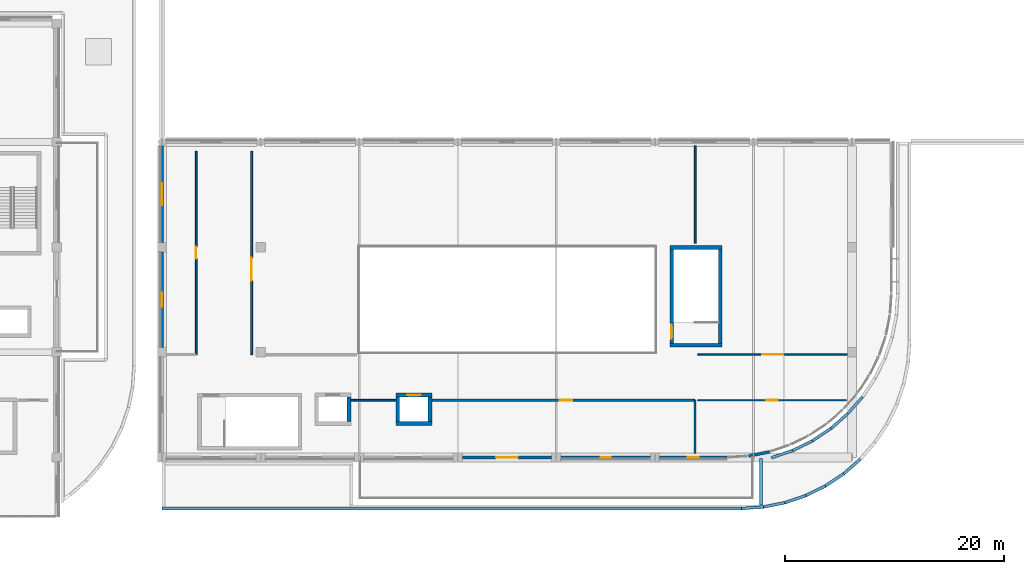
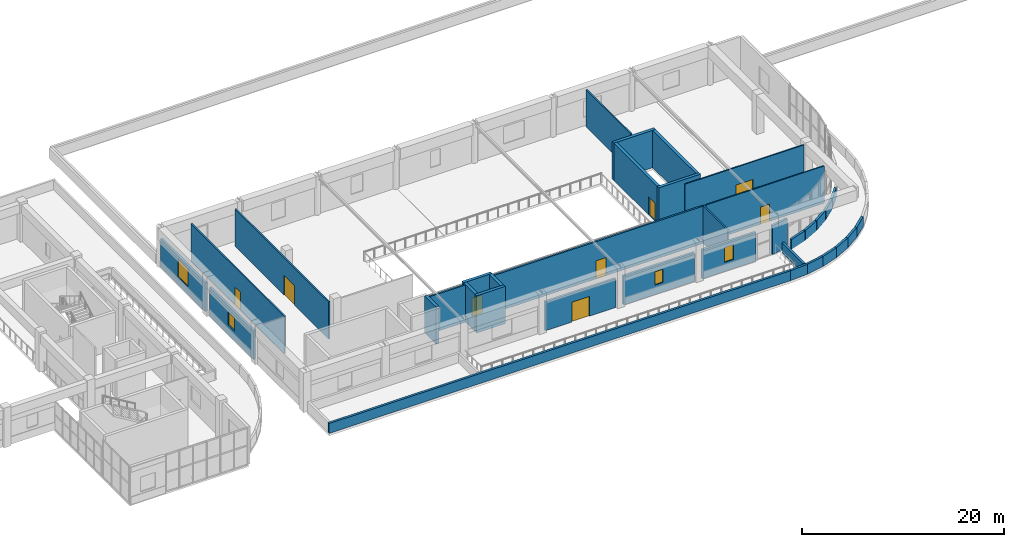
# One storey, part 45 of 67: 36 walls, 8 doors, 4 windows, 12 openings.
"""IFC4 building model written with IfcOpenShell, lengths in metres."""

from ifc_helpers import new_model, si_unit, direction, frame, frame_2d, origin, place, context, subcontext, project, spatial, rectangle, extrude, material, layer, layer_set, type_object, element, fill, save


model = new_model("IFC4")

# Units and contexts
model_context = context("Model", 3, precision=1e-05, world=origin(), true_north=direction((0.0, 1.0)))
body_context = subcontext(model_context, "Body", "Model", "MODEL_VIEW")
ifc_project = project(units=[si_unit("LENGTHUNIT", "METRE"), si_unit("AREAUNIT", "SQUARE_METRE"), si_unit("VOLUMEUNIT", "CUBIC_METRE"), si_unit("PLANEANGLEUNIT", "RADIAN"), si_unit("MASSUNIT", "GRAM", prefix="KILO")], contexts=[model_context])

# Site, building, storey
site_placement = place(None, origin())
site = spatial("IfcSite", under=ifc_project, at=site_placement, CompositionType="ELEMENT")
building_placement = place(site_placement, origin())
building = spatial("IfcBuilding", under=site, at=building_placement, Name="Cendralis Terraced Arcade", CompositionType="ELEMENT")
storey_placement = place(building_placement, frame((0.0, 0.0, 15.0)))
storey = spatial("IfcBuildingStorey", under=building, at=storey_placement, Name="L03", CompositionType="ELEMENT", Elevation=15.0)

# Walls
ifc_material_1 = material(Name="Concrete f'c 42 MPa", Category="concrete")
ifc_layer_1 = layer(ifc_material_1, 0.340087890625, Name="WL-CORE-340")
ifc_layer_set_1 = layer_set([ifc_layer_1], Name="Concrete f'c 42 MPa")
wall_type_1 = type_object("IfcWallType", Name="WL-CORE-340", PredefinedType="SHEAR", material=ifc_layer_set_1)
for number, where, z_axis, x_axis, name in (
    (1, (113.56005859375, 19.830078125, 0.0), (0.0, 0.0, 1.0), (1.0, 0.0, 0.0), "Stair Core Reinforced Concrete Shear Wall SW-ST-09-L03-S"),
    (2, (113.56005859375, 28.77001953125, 0.0), (0.0, 0.0, 1.0), (1.0, 0.0, 0.0), "Stair Core Reinforced Concrete Shear Wall SW-ST-09-L03-N"),
):
    element("IfcWall", number, at=place(storey_placement, frame(where, z_axis=z_axis, x_axis=x_axis)), inside=storey, type_object=wall_type_1, Name=name, PredefinedType="SHEAR", context=body_context, shape_type="SweptSolid", body=[
        extrude(rectangle(XDim=4.780029296875, YDim=0.340087890625, at=frame_2d((2.39013671875, 0.0))), origin(), (0.0, 0.0, 1.0), 4.52001953125),
    ])
wall_1_placement = place(storey_placement, frame((118.169921875, 20.0, 0.0), z_axis=(0.0, 0.0, 1.0), x_axis=(0.0, 1.0, 0.0)))
element("IfcWall", 3, at=wall_1_placement, inside=storey, type_object=wall_type_1, Name="Stair Core Reinforced Concrete Shear Wall SW-ST-09-L03-E", PredefinedType="SHEAR", context=body_context, shape_type="SweptSolid", body=[
    extrude(rectangle(XDim=8.60009765625, YDim=0.340087890625, at=frame_2d((4.300048828125, 0.0))), origin(), (0.0, 0.0, 1.0), 4.52001953125),
])

# Wall, opening, door
wall_2_placement = place(storey_placement, frame((113.72998046875, 20.0, 0.0), z_axis=(0.0, 0.0, 1.0), x_axis=(0.0, 1.0, 0.0)))
wall_2 = element("IfcWall", 4, at=wall_2_placement, inside=storey, type_object=wall_type_1, Name="Stair Core Reinforced Concrete Shear Wall SW-ST-09-L03-W", PredefinedType="SHEAR", context=body_context, shape_type="SweptSolid", body=[
    extrude(rectangle(XDim=8.60009765625, YDim=0.340087890625, at=frame_2d((4.300048828125, 0.0))), origin(), (0.0, 0.0, 1.0), 4.52001953125),
])
opening_1_placement = place(wall_2_placement, frame((0.449951171875, 0.0, 0.0)))
opening_1 = element("IfcOpeningElement", 5, at=opening_1_placement, cuts=wall_2, Name="Opening D-ST-09-L03", PredefinedType="OPENING", context=body_context, shape_type="SweptSolid", body=[
    extrude(rectangle(XDim=1.25, YDim=2.199951171875, at=frame_2d((0.625, 1.10009765625))), frame((0.0, 0.18212890625, 0.0), z_axis=(0.0, -1.0, 0.0), x_axis=(1.0, 0.0, 0.0)), (0.0, 0.0, 1.0), 0.364013671875),
])
ifc_material_2 = material(Name="Galvanised fire-rated steel door assembly", Category="steel")
door_type_1 = type_object("IfcDoorType", Name="ID-ST-1250x2200", OperationType="NOTDEFINED", PredefinedType="DOOR", material=ifc_material_2)
door_1_placement = place(opening_1_placement, frame((1.25, 0.0, 0.0), z_axis=(0.0, 0.0, 1.0), x_axis=(-1.0, 0.0, 0.0)))
door_1 = element("IfcDoor", 6, at=door_1_placement, inside=storey, type_object=door_type_1, Name="Protected Stair ST-09 Fire Door (L03)", OperationType="SINGLE_SWING_LEFT", OverallHeight=2.199951171875, OverallWidth=1.25, PredefinedType="DOOR", context=body_context, shape_type="SweptSolid", body=[
    extrude(rectangle(XDim=1.25, YDim=2.199951171875, at=frame_2d((0.625, 1.10009765625))), frame((0.0, 0.02490234375, 0.0), z_axis=(0.0, -1.0, 0.0), x_axis=(1.0, 0.0, 0.0)), (0.0, 0.0, 1.0), 0.050048828125),
])
fill(opening_1, door_1)

# Walls
wall_3_placement = place(storey_placement, frame((84.27001953125, 12.875, 0.0), z_axis=(0.0, 0.0, 1.0), x_axis=(0.0, 1.0, 0.0)))
element("IfcWall", 7, at=wall_3_placement, inside=storey, type_object=wall_type_1, Name="Lift PL-07 Reinforced Concrete Shaft Wall (L03)", PredefinedType="SHEAR", context=body_context, shape_type="SweptSolid", body=[
    extrude(rectangle(XDim=2.25, YDim=0.340087890625, at=frame_2d((1.125, 0.0))), origin(), (0.0, 0.0, 1.0), 4.52001953125),
])
wall_4_placement = place(storey_placement, frame((88.56005859375, 12.705078125, 0.0), z_axis=(0.0, 0.0, 1.0), x_axis=(1.0, 0.0, 0.0)))
element("IfcWall", 8, at=wall_4_placement, inside=storey, type_object=wall_type_1, Name="Lift PL-08 Reinforced Concrete Shaft Wall (L03)", PredefinedType="SHEAR", context=body_context, shape_type="SweptSolid", body=[
    extrude(rectangle(XDim=3.280029296875, YDim=0.340087890625, at=frame_2d((1.64013671875, 0.0))), origin(), (0.0, 0.0, 1.0), 4.52001953125),
])

# Wall, opening, door
wall_5_placement = place(storey_placement, frame((88.56005859375, 15.294921875, 0.0), z_axis=(0.0, 0.0, 1.0), x_axis=(1.0, 0.0, 0.0)))
wall_5 = element("IfcWall", 9, at=wall_5_placement, inside=storey, type_object=wall_type_1, Name="Lift PL-08 Reinforced Concrete Shaft Wall (L03)", PredefinedType="SHEAR", context=body_context, shape_type="SweptSolid", body=[
    extrude(rectangle(XDim=3.280029296875, YDim=0.340087890625, at=frame_2d((1.64013671875, 0.0))), origin(), (0.0, 0.0, 1.0), 4.52001953125),
])
opening_2_placement = place(wall_5_placement, frame((1.0400390625, 0.0, 0.0)))
opening_2 = element("IfcOpeningElement", 10, at=opening_2_placement, cuts=wall_5, Name="Opening LD-PL-08-L03", PredefinedType="OPENING", context=body_context, shape_type="SweptSolid", body=[
    extrude(rectangle(XDim=1.199951171875, YDim=2.199951171875, at=frame_2d((0.60009765625, 1.10009765625))), frame((0.0, 0.18212890625, 0.0), z_axis=(0.0, -1.0, 0.0), x_axis=(1.0, 0.0, 0.0)), (0.0, 0.0, 1.0), 0.364013671875),
])
ifc_material_3 = material(Name="Anodised aluminium sliding door assembly", Category="aluminium")
door_type_2 = type_object("IfcDoorType", Name="ID-LD-PX-1200x2200", OperationType="DOUBLE_DOOR_SLIDING", PredefinedType="DOOR", material=ifc_material_3)
door_2_placement = place(opening_2_placement, origin())
door_2 = element("IfcDoor", 11, at=door_2_placement, inside=storey, type_object=door_type_2, Name="Lift PL-08 Sliding Landing Door (L03)", OperationType="DOUBLE_DOOR_SLIDING", OverallHeight=2.199951171875, OverallWidth=1.199951171875, PredefinedType="DOOR", context=body_context, shape_type="SweptSolid", body=[
    extrude(rectangle(XDim=1.199951171875, YDim=2.199951171875, at=frame_2d((0.60009765625, 1.10009765625))), frame((0.0, 0.02490234375, 0.0), z_axis=(0.0, -1.0, 0.0), x_axis=(1.0, 0.0, 0.0)), (0.0, 0.0, 1.0), 0.050048828125),
])
fill(opening_2, door_2)

# Walls
for number, where, z_axis, x_axis, name in (
    (12, (88.72998046875, 12.875, 0.0), (0.0, 0.0, 1.0), (0.0, 1.0, 0.0), "Lift PL-08 Reinforced Concrete Shaft Wall (L03)"),
    (13, (91.669921875, 12.875, 0.0), (0.0, 0.0, 1.0), (0.0, 1.0, 0.0), "Lift PL-08 Reinforced Concrete Shaft Wall (L03)"),
):
    element("IfcWall", number, at=place(storey_placement, frame(where, z_axis=z_axis, x_axis=x_axis)), inside=storey, type_object=wall_type_1, Name=name, PredefinedType="SHEAR", context=body_context, shape_type="SweptSolid", body=[
        extrude(rectangle(XDim=2.25, YDim=0.340087890625, at=frame_2d((1.125, 0.0))), origin(), (0.0, 0.0, 1.0), 4.52001953125),
    ])
ifc_material_4 = material(Name="Terracotta clay masonry", Category="masonry")
ifc_layer_2 = layer(ifc_material_4, 0.264892578125, Name="WL-EXT-TER-265")
ifc_layer_set_2 = layer_set([ifc_layer_2], Name="Terracotta clay masonry")
wall_type_2 = type_object("IfcWallType", Name="WL-EXT-TER-265", PredefinedType="SOLIDWALL", material=ifc_layer_set_2)
wall_6_placement = place(storey_placement, frame((122.682373046875, 10.111083984375, 0.0), z_axis=(0.0, 0.0, 1.0), x_axis=(-0.980785903935, -0.195087187285, 0.0)))
element("IfcWall", 14, at=wall_6_placement, inside=storey, type_object=wall_type_2, Name="Exterior Architectural Wall EW-L03-0240", PredefinedType="SOLIDWALL", context=body_context, shape_type="SweptSolid", body=[
    extrude(rectangle(XDim=1.962158203125, YDim=0.264892578125, at=frame_2d((0.98095703125, 0.0))), origin(), (0.0, 0.0, 1.0), 3.489990234375),
])

# Wall, opening, window
wall_7_placement = place(storey_placement, frame((118.800048828125, 9.60009765625, 0.0), z_axis=(0.0, 0.0, 1.0), x_axis=(-1.0, 0.0, 0.0)))
wall_7 = element("IfcWall", 15, at=wall_7_placement, inside=storey, type_object=wall_type_2, Name="Exterior Architectural Wall EW-L03-0241", PredefinedType="SOLIDWALL", context=body_context, shape_type="SweptSolid", body=[
    extrude(rectangle(XDim=6.177001953125, YDim=0.264892578125, at=frame_2d((3.08837890625, 0.0))), origin(), (0.0, 0.0, 1.0), 3.489990234375),
])
opening_3_placement = place(wall_7_placement, frame((2.58837890625, 0.0, 1.10009765625)))
opening_3 = element("IfcOpeningElement", 16, at=opening_3_placement, cuts=wall_7, Name="Opening W-23", PredefinedType="OPENING", context=body_context, shape_type="SweptSolid", body=[
    extrude(rectangle(XDim=1.0, YDim=1.800048828125, at=frame_2d((0.5, 0.89990234375))), frame((0.0, 0.14453125, 0.0), z_axis=(0.0, -1.0, 0.0), x_axis=(1.0, 0.0, 0.0)), (0.0, 0.0, 1.0), 0.288818359375),
])
ifc_material_5 = material(Name="Tempered solar control laminated glass", Category="glass")
window_type_1 = type_object("IfcWindowType", Name="WN-ST-1000x1800", PartitioningType="SINGLE_PANEL", PredefinedType="WINDOW", material=ifc_material_5)
window_1_placement = place(opening_3_placement, origin())
window_1 = element("IfcWindow", 17, at=window_1_placement, inside=storey, type_object=window_type_1, Name="Exterior Solar-Control Window WN-L03-0152", OverallHeight=1.800048828125, OverallWidth=1.0, PartitioningType="SINGLE_PANEL", PredefinedType="WINDOW", context=body_context, shape_type="SweptSolid", body=[
    extrude(rectangle(XDim=1.0, YDim=1.800048828125, at=frame_2d((0.5, 0.89990234375))), frame((0.0, 0.030029296875, 0.0), z_axis=(0.0, -1.0, 0.0), x_axis=(1.0, 0.0, 0.0)), (0.0, 0.0, 1.0), 0.06005859375),
])
fill(opening_3, window_1)

wall_8_placement = place(storey_placement, frame((111.777099609375, 9.60009765625, 0.0), z_axis=(0.0, 0.0, 1.0), x_axis=(-1.0, 0.0, 0.0)))
wall_8 = element("IfcWall", 18, at=wall_8_placement, inside=storey, type_object=wall_type_2, Name="Exterior Architectural Wall EW-L03-0242", PredefinedType="SOLIDWALL", context=body_context, shape_type="SweptSolid", body=[
    extrude(rectangle(XDim=8.154052734375, YDim=0.264892578125, at=frame_2d((4.0771484375, 0.0))), origin(), (0.0, 0.0, 1.0), 3.489990234375),
])
opening_4_placement = place(wall_8_placement, frame((3.626953125, 0.0, 1.14990234375)))
opening_4 = element("IfcOpeningElement", 19, at=opening_4_placement, cuts=wall_8, Name="Opening W-24", PredefinedType="OPENING", context=body_context, shape_type="SweptSolid", body=[
    extrude(rectangle(XDim=0.89990234375, YDim=1.60009765625, at=frame_2d((0.449951171875, 0.800048828125))), frame((0.0, 0.14453125, 0.0), z_axis=(0.0, -1.0, 0.0), x_axis=(1.0, 0.0, 0.0)), (0.0, 0.0, 1.0), 0.288818359375),
])
window_type_2 = type_object("IfcWindowType", Name="WN-ST-0900x1600", PartitioningType="SINGLE_PANEL", PredefinedType="WINDOW", material=ifc_material_5)
window_2_placement = place(opening_4_placement, origin())
window_2 = element("IfcWindow", 20, at=window_2_placement, inside=storey, type_object=window_type_2, Name="Exterior Solar-Control Window WN-L03-0153", OverallHeight=1.60009765625, OverallWidth=0.89990234375, PartitioningType="SINGLE_PANEL", PredefinedType="WINDOW", context=body_context, shape_type="SweptSolid", body=[
    extrude(rectangle(XDim=0.89990234375, YDim=1.60009765625, at=frame_2d((0.449951171875, 0.800048828125))), frame((0.0, 0.030029296875, 0.0), z_axis=(0.0, -1.0, 0.0), x_axis=(1.0, 0.0, 0.0)), (0.0, 0.0, 1.0), 0.06005859375),
])
fill(opening_4, window_2)

# Wall, opening, door
wall_9_placement = place(storey_placement, frame((102.75, 9.60009765625, 0.0), z_axis=(0.0, 0.0, 1.0), x_axis=(-1.0, 0.0, 0.0)))
wall_9 = element("IfcWall", 21, at=wall_9_placement, inside=storey, type_object=wall_type_2, Name="Exterior Architectural Wall EW-L03-0243", PredefinedType="SOLIDWALL", context=body_context, shape_type="SweptSolid", body=[
    extrude(rectangle(XDim=8.10009765625, YDim=0.264892578125, at=frame_2d((4.050048828125, 0.0))), origin(), (0.0, 0.0, 1.0), 3.489990234375),
])
opening_5_placement = place(wall_9_placement, frame((3.050048828125, 0.0, 0.0)))
opening_5 = element("IfcOpeningElement", 22, at=opening_5_placement, cuts=wall_9, Name="Opening TD-L03-05", PredefinedType="OPENING", context=body_context, shape_type="SweptSolid", body=[
    extrude(rectangle(XDim=2.0, YDim=2.39990234375, at=frame_2d((1.0, 1.199951171875))), frame((0.0, 0.14453125, 0.0), z_axis=(0.0, -1.0, 0.0), x_axis=(1.0, 0.0, 0.0)), (0.0, 0.0, 1.0), 0.288818359375),
])
ifc_material_6 = material(Name="Powder-coated thermally broken aluminium and glass", Category="aluminium")
door_type_3 = type_object("IfcDoorType", Name="ED-TER-2000x2400", OperationType="DOUBLE_DOOR_SINGLE_SWING", PredefinedType="DOOR", material=ifc_material_6)
door_3_placement = place(opening_5_placement, origin())
door_3 = element("IfcDoor", 23, at=door_3_placement, inside=storey, type_object=door_type_3, Name="Planted Terrace Access Door TD-L03-05", OperationType="DOUBLE_DOOR_SINGLE_SWING", OverallHeight=2.39990234375, OverallWidth=2.0, PredefinedType="DOOR", context=body_context, shape_type="SweptSolid", body=[
    extrude(rectangle(XDim=2.0, YDim=2.39990234375, at=frame_2d((1.0, 1.199951171875))), frame((0.0, 0.02490234375, 0.0), z_axis=(0.0, -1.0, 0.0), x_axis=(1.0, 0.0, 0.0)), (0.0, 0.0, 1.0), 0.050048828125),
])
fill(opening_5, door_3)

# Wall, opening, window
wall_10_placement = place(storey_placement, frame((67.199951171875, 19.623046875, 0.0), z_axis=(0.0, 0.0, 1.0), x_axis=(0.0, 1.0, 0.0)))
wall_10 = element("IfcWall", 24, at=wall_10_placement, inside=storey, type_object=wall_type_2, Name="Exterior Architectural Wall EW-L03-0248", PredefinedType="SOLIDWALL", context=body_context, shape_type="SweptSolid", body=[
    extrude(rectangle(XDim=8.75390625, YDim=0.264892578125, at=frame_2d((4.376953125, 0.0))), origin(), (0.0, 0.0, 1.0), 3.489990234375),
])
opening_6_placement = place(wall_10_placement, frame((3.751953125, 0.0, 1.199951171875)))
opening_6 = element("IfcOpeningElement", 25, at=opening_6_placement, cuts=wall_10, Name="Opening W-30", PredefinedType="OPENING", context=body_context, shape_type="SweptSolid", body=[
    extrude(rectangle(XDim=1.25, YDim=1.550048828125, at=frame_2d((0.625, 0.77490234375))), frame((0.0, 0.14453125, 0.0), z_axis=(0.0, -1.0, 0.0), x_axis=(1.0, 0.0, 0.0)), (0.0, 0.0, 1.0), 0.288818359375),
])
window_type_3 = type_object("IfcWindowType", Name="WN-F3-1250x1550", PartitioningType="SINGLE_PANEL", PredefinedType="WINDOW", material=ifc_material_5)
window_3_placement = place(opening_6_placement, origin())
window_3 = element("IfcWindow", 26, at=window_3_placement, inside=storey, type_object=window_type_3, Name="Exterior Solar-Control Window WN-L03-0158", OverallHeight=1.550048828125, OverallWidth=1.25, PartitioningType="SINGLE_PANEL", PredefinedType="WINDOW", context=body_context, shape_type="SweptSolid", body=[
    extrude(rectangle(XDim=1.25, YDim=1.550048828125, at=frame_2d((0.625, 0.77490234375))), frame((0.0, 0.030029296875, 0.0), z_axis=(0.0, -1.0, 0.0), x_axis=(1.0, 0.0, 0.0)), (0.0, 0.0, 1.0), 0.06005859375),
])
fill(opening_6, window_3)

wall_11_placement = place(storey_placement, frame((67.199951171875, 29.222900390625, 0.0), z_axis=(0.0, 0.0, 1.0), x_axis=(0.0, 1.0, 0.0)))
wall_11 = element("IfcWall", 27, at=wall_11_placement, inside=storey, type_object=wall_type_2, Name="Exterior Architectural Wall EW-L03-0249", PredefinedType="SOLIDWALL", context=body_context, shape_type="SweptSolid", body=[
    extrude(rectangle(XDim=8.8291015625, YDim=0.264892578125, at=frame_2d((4.41455078125, 0.0))), origin(), (0.0, 0.0, 1.0), 3.489990234375),
])
opening_7_placement = place(wall_11_placement, frame((3.41455078125, 0.0, 0.949951171875)))
opening_7 = element("IfcOpeningElement", 28, at=opening_7_placement, cuts=wall_11, Name="Opening W-03", PredefinedType="OPENING", context=body_context, shape_type="SweptSolid", body=[
    extrude(rectangle(XDim=2.0, YDim=2.199951171875, at=frame_2d((1.0, 1.10009765625))), frame((0.0, 0.14453125, 0.0), z_axis=(0.0, -1.0, 0.0), x_axis=(1.0, 0.0, 0.0)), (0.0, 0.0, 1.0), 0.288818359375),
])
window_type_4 = type_object("IfcWindowType", Name="WN-F1-2000x2200", PartitioningType="SINGLE_PANEL", PredefinedType="WINDOW", material=ifc_material_5)
window_4_placement = place(opening_7_placement, origin())
window_4 = element("IfcWindow", 29, at=window_4_placement, inside=storey, type_object=window_type_4, Name="Exterior Solar-Control Window WN-L03-0159", OverallHeight=2.199951171875, OverallWidth=2.0, PartitioningType="SINGLE_PANEL", PredefinedType="WINDOW", context=body_context, shape_type="SweptSolid", body=[
    extrude(rectangle(XDim=2.0, YDim=2.199951171875, at=frame_2d((1.0, 1.10009765625))), frame((0.0, 0.030029296875, 0.0), z_axis=(0.0, -1.0, 0.0), x_axis=(1.0, 0.0, 0.0)), (0.0, 0.0, 1.0), 0.06005859375),
])
fill(opening_7, window_4)

# Walls
ifc_material_7 = material(Name="Precast concrete f'c 40 MPa", Category="concrete")
ifc_layer_3 = layer(ifc_material_7, 0.25, Name="WL-PAR-250")
ifc_layer_set_3 = layer_set([ifc_layer_3], Name="Precast concrete f'c 40 MPa")
wall_type_3 = type_object("IfcWallType", Name="WL-PAR-250", PredefinedType="PARAPET", material=ifc_layer_set_3)
for number, where, z_axis, x_axis, name in (
    (30, (130.964599609375, 9.44873046875, 0.0), (0.0, 0.0, 1.0), (-0.751890009959, -0.659288565747, 0.0), "Precast Concrete Roof Parapet Wall PAR-L03-295"),
    (31, (129.455078125, 8.12353515625, 0.0), (0.0, 0.0, 1.0), (-0.83151263749, -0.555505835878, 0.0), "Precast Concrete Roof Parapet Wall PAR-L03-296"),
    (32, (127.785888671875, 7.006591796875, 0.0), (0.0, 0.0, 1.0), (-0.896870216232, -0.442293810985, 0.0), "Precast Concrete Roof Parapet Wall PAR-L03-297"),
):
    element("IfcWall", number, at=place(storey_placement, frame(where, z_axis=z_axis, x_axis=x_axis)), inside=storey, type_object=wall_type_3, Name=name, PredefinedType="PARAPET", context=body_context, shape_type="SweptSolid", body=[
        extrude(rectangle(XDim=2.02734375, YDim=0.25, at=frame_2d((1.013671875, 0.0))), origin(), (0.0, 0.0, 1.0), 1.199951171875),
    ])
for number, where, z_axis, x_axis, name in (
    (33, (125.985107421875, 6.1171875, 0.0), (0.0, 0.0, 1.0), (-0.946910640258, -0.321496873028, 0.0), "Precast Concrete Roof Parapet Wall PAR-L03-298"),
    (34, (124.08349609375, 5.47021484375, 0.0), (0.0, 0.0, 1.0), (-0.980788534345, -0.195073962632, 0.0), "Precast Concrete Roof Parapet Wall PAR-L03-299"),
    (35, (122.11376953125, 5.077392578125, 0.0), (0.0, 0.0, 1.0), (-0.997852306645, -0.065504000822, 0.0), "Precast Concrete Roof Parapet Wall PAR-L03-300"),
):
    element("IfcWall", number, at=place(storey_placement, frame(where, z_axis=z_axis, x_axis=x_axis)), inside=storey, type_object=wall_type_3, Name=name, PredefinedType="PARAPET", context=body_context, shape_type="SweptSolid", body=[
        extrude(rectangle(XDim=2.027587890625, YDim=0.25, at=frame_2d((1.013671875, 0.0))), origin(), (0.0, 0.0, 1.0), 1.199951171875),
    ])
wall_12_placement = place(storey_placement, frame((120.10009765625, 4.945068359375, 0.0), z_axis=(0.0, 0.0, 1.0), x_axis=(-1.0, 0.0, 0.0)))
element("IfcWall", 36, at=wall_12_placement, inside=storey, type_object=wall_type_3, Name="Precast Concrete Roof Parapet Wall PAR-L03-301", PredefinedType="PARAPET", context=body_context, shape_type="SweptSolid", body=[
    extrude(rectangle(XDim=52.900146484375, YDim=0.25, at=frame_2d((26.4501953125, 0.0))), origin(), (0.0, 0.0, 1.0), 1.199951171875),
])
wall_13_placement = place(storey_placement, frame((121.89501953125, 5.25, 0.0), z_axis=(0.0, 0.0, 1.0), x_axis=(0.0, 1.0, 0.0)))
element("IfcWall", 37, at=wall_13_placement, inside=storey, type_object=wall_type_3, Name="Precast Concrete Roof Parapet Wall PAR-L03-306", PredefinedType="PARAPET", context=body_context, shape_type="SweptSolid", body=[
    extrude(rectangle(XDim=4.247314453125, YDim=0.25, at=frame_2d((2.12353515625, 0.0))), origin(), (0.0, 0.0, 1.0), 1.199951171875),
])
for number, where, z_axis, x_axis, name in (
    (38, (122.837890625, 9.567138671875, 0.0), (0.0, 0.0, 1.0), (0.946926081633, 0.321451389675, 0.0), "Precast Concrete Roof Parapet Wall PAR-L03-307"),
    (39, (124.765380859375, 10.222900390625, 0.0), (0.0, 0.0, 1.0), (0.89690638014, 0.442220471331, 0.0), "Precast Concrete Roof Parapet Wall PAR-L03-308"),
):
    element("IfcWall", number, at=place(storey_placement, frame(where, z_axis=z_axis, x_axis=x_axis)), inside=storey, type_object=wall_type_3, Name=name, PredefinedType="PARAPET", context=body_context, shape_type="SweptSolid", body=[
        extrude(rectangle(XDim=2.017333984375, YDim=0.25, at=frame_2d((1.0087890625, 0.0))), origin(), (0.0, 0.0, 1.0), 1.199951171875),
    ])
wall_14_placement = place(storey_placement, frame((126.591064453125, 11.12451171875, 0.0), z_axis=(0.0, 0.0, 1.0), x_axis=(0.831491262241, 0.555537830231, 0.0)))
element("IfcWall", 40, at=wall_14_placement, inside=storey, type_object=wall_type_3, Name="Precast Concrete Roof Parapet Wall PAR-L03-309", PredefinedType="PARAPET", context=body_context, shape_type="SweptSolid", body=[
    extrude(rectangle(XDim=2.01708984375, YDim=0.25, at=frame_2d((1.008544921875, 0.0))), origin(), (0.0, 0.0, 1.0), 1.199951171875),
])
for number, where, z_axis, x_axis, name in (
    (41, (128.283203125, 12.2568359375, 0.0), (0.0, 0.0, 1.0), (0.751826475426, 0.659361017083, 0.0), "Precast Concrete Roof Parapet Wall PAR-L03-310"),
    (42, (129.813232421875, 13.60009765625, 0.0), (0.0, 0.0, 1.0), (0.659361017083, 0.751826475426, 0.0), "Precast Concrete Roof Parapet Wall PAR-L03-311"),
):
    element("IfcWall", number, at=place(storey_placement, frame(where, z_axis=z_axis, x_axis=x_axis)), inside=storey, type_object=wall_type_3, Name=name, PredefinedType="PARAPET", context=body_context, shape_type="SweptSolid", body=[
        extrude(rectangle(XDim=2.017333984375, YDim=0.25, at=frame_2d((1.0087890625, 0.0))), origin(), (0.0, 0.0, 1.0), 1.199951171875),
    ])

# Wall, opening, door
ifc_material_8 = material(Name="Gypsum plasterboard acoustic partition", Category="concrete")
ifc_layer_4 = layer(ifc_material_8, 0.1298828125, Name="WL-PART-130")
ifc_layer_set_4 = layer_set([ifc_layer_4], Name="Gypsum plasterboard acoustic partition")
wall_type_4 = type_object("IfcWallType", Name="WL-PART-130", PredefinedType="PARTITIONING", material=ifc_layer_set_4)
wall_15_placement = place(storey_placement, frame((116.1201171875, 14.820068359375, 0.0), z_axis=(0.0, 0.0, 1.0), x_axis=(1.0, 0.0, 0.0)))
wall_15 = element("IfcWall", 43, at=wall_15_placement, inside=storey, type_object=wall_type_4, Name="Interior Partition Wall IW-L03-0556", PredefinedType="PARTITIONING", context=body_context, shape_type="SweptSolid", body=[
    extrude(rectangle(XDim=13.55908203125, YDim=0.1298828125, at=frame_2d((6.779541015625, 0.0))), origin(), (0.0, 0.0, 1.0), 4.52001953125),
])
opening_8_placement = place(wall_15_placement, frame((6.254638671875, 0.0, 0.0)))
opening_8 = element("IfcOpeningElement", 44, at=opening_8_placement, cuts=wall_15, Name="Opening D-L03-150", PredefinedType="OPENING", context=body_context, shape_type="SweptSolid", body=[
    extrude(rectangle(XDim=1.050048828125, YDim=2.10009765625, at=frame_2d((0.52490234375, 1.050048828125))), frame((0.0, 0.076904296875, 0.0), z_axis=(0.0, -1.0, 0.0), x_axis=(1.0, 0.0, 0.0)), (0.0, 0.0, 1.0), 0.15380859375),
])
ifc_material_9 = material(Name="Solid core Andean oak veneer door leaf", Category="aluminium")
door_type_4 = type_object("IfcDoorType", Name="ID-RM-1050x2100", OperationType="NOTDEFINED", PredefinedType="DOOR", material=ifc_material_9)
door_4_placement = place(opening_8_placement, origin())
door_4 = element("IfcDoor", 45, at=door_4_placement, inside=storey, type_object=door_type_4, Name="Culinary Preparation and Bakery Kitchens Door D-L03-150", OperationType="SINGLE_SWING_LEFT", OverallHeight=2.10009765625, OverallWidth=1.050048828125, PredefinedType="DOOR", context=body_context, shape_type="SweptSolid", body=[
    extrude(rectangle(XDim=1.050048828125, YDim=2.10009765625, at=frame_2d((0.52490234375, 1.050048828125))), frame((0.0, 0.02490234375, 0.0), z_axis=(0.0, -1.0, 0.0), x_axis=(1.0, 0.0, 0.0)), (0.0, 0.0, 1.0), 0.050048828125),
])
fill(opening_8, door_4)

ifc_layer_5 = layer(ifc_material_8, 0.137939453125, Name="WL-PART-138")
ifc_layer_set_5 = layer_set([ifc_layer_5], Name="Gypsum plasterboard acoustic partition")
wall_type_5 = type_object("IfcWallType", Name="WL-PART-138", PredefinedType="PARTITIONING", material=ifc_layer_set_5)
wall_16_placement = place(storey_placement, frame((129.7548828125, 18.97998046875, 0.0), z_axis=(0.0, 0.0, 1.0), x_axis=(-1.0, 0.0, 0.0)))
wall_16 = element("IfcWall", 46, at=wall_16_placement, inside=storey, type_object=wall_type_5, Name="Interior Partition Wall IW-L03-0555", PredefinedType="PARTITIONING", context=body_context, shape_type="SweptSolid", body=[
    extrude(rectangle(XDim=13.634765625, YDim=0.137939453125, at=frame_2d((6.8173828125, 0.0))), origin(), (0.0, 0.0, 1.0), 4.52001953125),
])
opening_9_placement = place(wall_16_placement, frame((5.857421875, 0.0, 0.0)))
opening_9 = element("IfcOpeningElement", 47, at=opening_9_placement, cuts=wall_16, Name="Opening D-L03-149", PredefinedType="OPENING", context=body_context, shape_type="SweptSolid", body=[
    extrude(rectangle(XDim=1.919921875, YDim=2.3798828125, at=frame_2d((0.9599609375, 1.18994140625))), frame((0.0, 0.0810546875, 0.0), z_axis=(0.0, -1.0, 0.0), x_axis=(1.0, 0.0, 0.0)), (0.0, 0.0, 1.0), 0.161865234375),
])
door_type_5 = type_object("IfcDoorType", Name="ID-DEP-1920x2380", OperationType="DOUBLE_DOOR_SINGLE_SWING", PredefinedType="DOOR", material=ifc_material_9)
door_5_placement = place(opening_9_placement, origin())
door_5 = element("IfcDoor", 48, at=door_5_placement, inside=storey, type_object=door_type_5, Name="Culinary Preparation and Bakery Kitchens Door D-L03-149", OperationType="DOUBLE_DOOR_SINGLE_SWING", OverallHeight=2.3798828125, OverallWidth=1.919921875, PredefinedType="DOOR", context=body_context, shape_type="SweptSolid", body=[
    extrude(rectangle(XDim=1.919921875, YDim=2.3798828125, at=frame_2d((0.9599609375, 1.18994140625))), frame((0.0, 0.02490234375, 0.0), z_axis=(0.0, -1.0, 0.0), x_axis=(1.0, 0.0, 0.0)), (0.0, 0.0, 1.0), 0.050048828125),
])
fill(opening_9, door_5)

ifc_layer_6 = layer(ifc_material_8, 0.14990234375, Name="WL-PART-150")
ifc_layer_set_6 = layer_set([ifc_layer_6], Name="Gypsum plasterboard acoustic partition")
wall_type_6 = type_object("IfcWallType", Name="WL-PART-150", PredefinedType="PARTITIONING", material=ifc_layer_set_6)
wall_17_placement = place(storey_placement, frame((70.320068359375, 37.56005859375, 0.0), z_axis=(0.0, 0.0, 1.0), x_axis=(0.0, -1.0, 0.0)))
wall_17 = element("IfcWall", 49, at=wall_17_placement, inside=storey, type_object=wall_type_6, Name="Interior Partition Wall IW-L03-0553", PredefinedType="PARTITIONING", context=body_context, shape_type="SweptSolid", body=[
    extrude(rectangle(XDim=18.580078125, YDim=0.14990234375, at=frame_2d((9.2900390625, 0.0))), origin(), (0.0, 0.0, 1.0), 4.52001953125),
])
opening_10_placement = place(wall_17_placement, frame((8.739990234375, 0.0, 0.0)))
opening_10 = element("IfcOpeningElement", 50, at=opening_10_placement, cuts=wall_17, Name="Opening D-L03-148", PredefinedType="OPENING", context=body_context, shape_type="SweptSolid", body=[
    extrude(rectangle(XDim=1.10009765625, YDim=2.14990234375, at=frame_2d((0.550048828125, 1.074951171875))), frame((0.0, 0.0869140625, 0.0), z_axis=(0.0, -1.0, 0.0), x_axis=(1.0, 0.0, 0.0)), (0.0, 0.0, 1.0), 0.173828125),
])
door_type_6 = type_object("IfcDoorType", Name="ID-RM-1100x2150", OperationType="NOTDEFINED", PredefinedType="DOOR", material=ifc_material_9)
door_6_placement = place(opening_10_placement, origin())
door_6 = element("IfcDoor", 51, at=door_6_placement, inside=storey, type_object=door_type_6, Name="Vaulted Gourmet Food Hall Dining Door D-L03-148", OperationType="SINGLE_SWING_RIGHT", OverallHeight=2.14990234375, OverallWidth=1.10009765625, PredefinedType="DOOR", context=body_context, shape_type="SweptSolid", body=[
    extrude(rectangle(XDim=1.10009765625, YDim=2.14990234375, at=frame_2d((0.550048828125, 1.074951171875))), frame((0.0, 0.02490234375, 0.0), z_axis=(0.0, -1.0, 0.0), x_axis=(1.0, 0.0, 0.0)), (0.0, 0.0, 1.0), 0.050048828125),
])
fill(opening_10, door_6)

# Wall
ifc_layer_7 = layer(ifc_material_8, 0.159912109375, Name="WL-PART-160")
ifc_layer_set_7 = layer_set([ifc_layer_7], Name="Gypsum plasterboard acoustic partition")
wall_type_7 = type_object("IfcWallType", Name="WL-PART-160", PredefinedType="PARTITIONING", material=ifc_layer_set_7)
wall_18_placement = place(storey_placement, frame((115.8798828125, 38.06005859375, 0.0), z_axis=(0.0, 0.0, 1.0), x_axis=(0.0, -1.0, 0.0)))
element("IfcWall", 52, at=wall_18_placement, inside=storey, type_object=wall_type_7, Name="Interior Partition Wall IW-L03-0552", PredefinedType="PARTITIONING", context=body_context, shape_type="SweptSolid", body=[
    extrude(rectangle(XDim=8.920166015625, YDim=0.159912109375, at=frame_2d((4.4599609375, 0.0))), origin(), (0.0, 0.0, 1.0), 4.52001953125),
])

# Wall, opening, door
ifc_layer_8 = layer(ifc_material_8, 0.169921875, Name="WL-PART-170")
ifc_layer_set_8 = layer_set([ifc_layer_8], Name="Gypsum plasterboard acoustic partition")
wall_type_8 = type_object("IfcWallType", Name="WL-PART-170", PredefinedType="PARTITIONING", material=ifc_layer_set_8)
wall_19_placement = place(storey_placement, frame((75.3798828125, 18.97998046875, 0.0), z_axis=(0.0, 0.0, 1.0), x_axis=(0.0, 1.0, 0.0)))
wall_19 = element("IfcWall", 53, at=wall_19_placement, inside=storey, type_object=wall_type_8, Name="Interior Partition Wall IW-L03-0550", PredefinedType="PARTITIONING", context=body_context, shape_type="SweptSolid", body=[
    extrude(rectangle(XDim=18.580078125, YDim=0.169921875, at=frame_2d((9.2900390625, 0.0))), origin(), (0.0, 0.0, 1.0), 4.52001953125),
])
opening_11_placement = place(wall_19_placement, frame((6.739990234375, 0.0, 0.0)))
opening_11 = element("IfcOpeningElement", 54, at=opening_11_placement, cuts=wall_19, Name="Opening D-L03-147", PredefinedType="OPENING", context=body_context, shape_type="SweptSolid", body=[
    extrude(rectangle(XDim=2.10009765625, YDim=2.419921875, at=frame_2d((1.050048828125, 1.2099609375))), frame((0.0, 0.096923828125, 0.0), z_axis=(0.0, -1.0, 0.0), x_axis=(1.0, 0.0, 0.0)), (0.0, 0.0, 1.0), 0.19384765625),
])
door_type_7 = type_object("IfcDoorType", Name="ID-DEP-2100x2420", OperationType="DOUBLE_DOOR_SINGLE_SWING", PredefinedType="DOOR", material=ifc_material_9)
door_7_placement = place(opening_11_placement, origin())
door_7 = element("IfcDoor", 55, at=door_7_placement, inside=storey, type_object=door_type_7, Name="Vaulted Gourmet Food Hall Dining Door D-L03-147", OperationType="DOUBLE_DOOR_SINGLE_SWING", OverallHeight=2.419921875, OverallWidth=2.10009765625, PredefinedType="DOOR", context=body_context, shape_type="SweptSolid", body=[
    extrude(rectangle(XDim=2.10009765625, YDim=2.419921875, at=frame_2d((1.050048828125, 1.2099609375))), frame((0.0, 0.02490234375, 0.0), z_axis=(0.0, -1.0, 0.0), x_axis=(1.0, 0.0, 0.0)), (0.0, 0.0, 1.0), 0.050048828125),
])
fill(opening_11, door_7)

# Walls
ifc_layer_9 = layer(ifc_material_8, 0.179931640625, Name="WL-PART-180")
ifc_layer_set_9 = layer_set([ifc_layer_9], Name="Gypsum plasterboard acoustic partition")
wall_type_9 = type_object("IfcWallType", Name="WL-PART-180", PredefinedType="PARTITIONING", material=ifc_layer_set_9)
wall_20_placement = place(storey_placement, frame((84.43994140625, 14.820068359375, 0.0), z_axis=(0.0, 0.0, 1.0), x_axis=(1.0, 0.0, 0.0)))
element("IfcWall", 56, at=wall_20_placement, inside=storey, type_object=wall_type_9, Name="Interior Partition Wall IW-L03-0549", PredefinedType="PARTITIONING", context=body_context, shape_type="SweptSolid", body=[
    extrude(rectangle(XDim=4.1201171875, YDim=0.179931640625, at=frame_2d((2.06005859375, 0.0))), origin(), (0.0, 0.0, 1.0), 4.52001953125),
])
ifc_layer_10 = layer(ifc_material_8, 0.18505859375, Name="WL-PART-185")
ifc_layer_set_10 = layer_set([ifc_layer_10], Name="Gypsum plasterboard acoustic partition")
wall_type_10 = type_object("IfcWallType", Name="WL-PART-185", PredefinedType="PARTITIONING", material=ifc_layer_set_10)
wall_21_placement = place(storey_placement, frame((115.8798828125, 14.820068359375, 0.0), z_axis=(0.0, 0.0, 1.0), x_axis=(0.0, -1.0, 0.0)))
element("IfcWall", 57, at=wall_21_placement, inside=storey, type_object=wall_type_10, Name="Interior Partition Wall IW-L03-0548", PredefinedType="PARTITIONING", context=body_context, shape_type="SweptSolid", body=[
    extrude(rectangle(XDim=4.880126953125, YDim=0.18505859375, at=frame_2d((2.43994140625, 0.0))), origin(), (0.0, 0.0, 1.0), 4.52001953125),
])

# Wall, opening, door
ifc_layer_11 = layer(ifc_material_8, 0.18994140625, Name="WL-PART-190")
ifc_layer_set_11 = layer_set([ifc_layer_11], Name="Gypsum plasterboard acoustic partition")
wall_type_11 = type_object("IfcWallType", Name="WL-PART-190", PredefinedType="PARTITIONING", material=ifc_layer_set_11)
wall_22_placement = place(storey_placement, frame((91.840087890625, 14.820068359375, 0.0), z_axis=(0.0, 0.0, 1.0), x_axis=(1.0, 0.0, 0.0)))
wall_22 = element("IfcWall", 58, at=wall_22_placement, inside=storey, type_object=wall_type_11, Name="Interior Partition Wall IW-L03-0547", PredefinedType="PARTITIONING", context=body_context, shape_type="SweptSolid", body=[
    extrude(rectangle(XDim=24.039794921875, YDim=0.18994140625, at=frame_2d((12.02001953125, 0.0))), origin(), (0.0, 0.0, 1.0), 4.52001953125),
])
opening_12_placement = place(wall_22_placement, frame((11.678466796875, 0.0, 0.0)))
opening_12 = element("IfcOpeningElement", 59, at=opening_12_placement, cuts=wall_22, Name="Opening D-L03-146", PredefinedType="OPENING", context=body_context, shape_type="SweptSolid", body=[
    extrude(rectangle(XDim=1.14990234375, YDim=2.199951171875, at=frame_2d((0.574951171875, 1.10009765625))), frame((0.0, 0.10693359375, 0.0), z_axis=(0.0, -1.0, 0.0), x_axis=(1.0, 0.0, 0.0)), (0.0, 0.0, 1.0), 0.2138671875),
])
door_type_8 = type_object("IfcDoorType", Name="ID-RM-1150x2200", OperationType="NOTDEFINED", PredefinedType="DOOR", material=ifc_material_9)
door_8_placement = place(opening_12_placement, origin())
door_8 = element("IfcDoor", 60, at=door_8_placement, inside=storey, type_object=door_type_8, Name="Vaulted Gourmet Food Hall Dining Door D-L03-146", OperationType="SINGLE_SWING_LEFT", OverallHeight=2.199951171875, OverallWidth=1.14990234375, PredefinedType="DOOR", context=body_context, shape_type="SweptSolid", body=[
    extrude(rectangle(XDim=1.14990234375, YDim=2.199951171875, at=frame_2d((0.574951171875, 1.10009765625))), frame((0.0, 0.02490234375, 0.0), z_axis=(0.0, -1.0, 0.0), x_axis=(1.0, 0.0, 0.0)), (0.0, 0.0, 1.0), 0.050048828125),
])
fill(opening_12, door_8)

save(model, "model.ifc")
